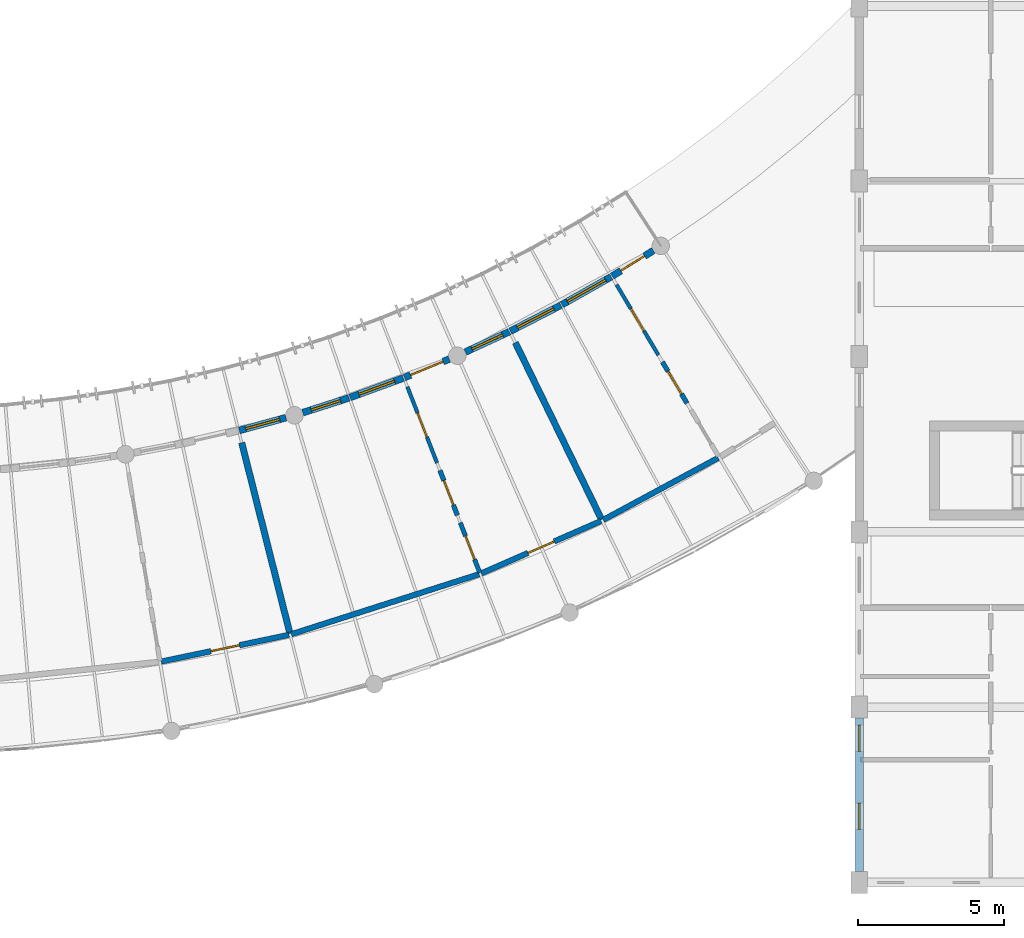
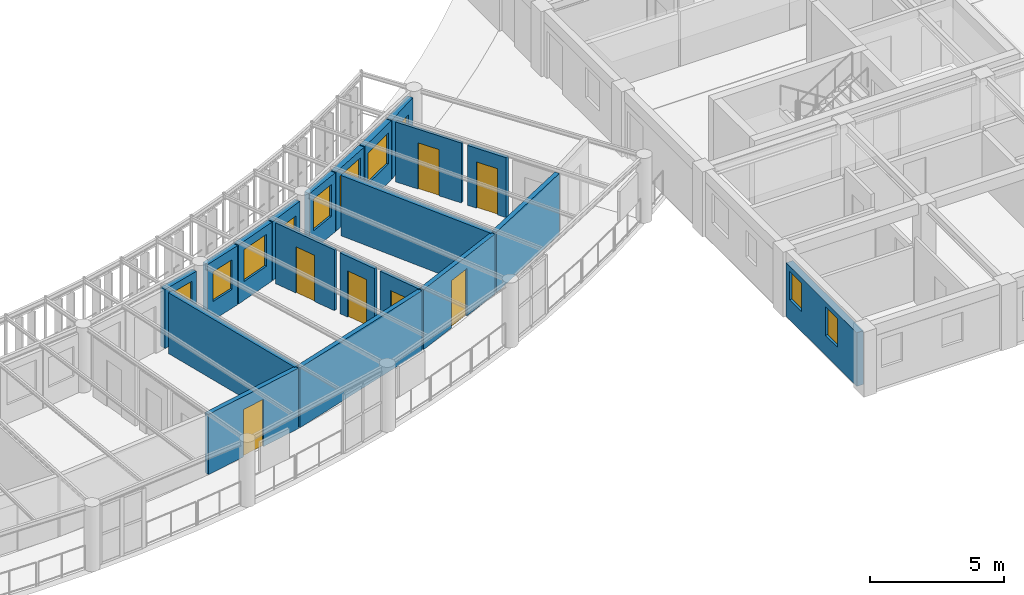
# One storey, part 62 of 100: 20 walls, 9 doors, 8 windows, 17 openings.
"""IFC4 building model written with IfcOpenShell, lengths in metres."""

from ifc_helpers import new_model, si_unit, direction, frame, frame_2d, origin, place, context, subcontext, project, spatial, rectangle, extrude, material, layer, layer_set, type_object, element, fill, save


model = new_model("IFC4")

# Units and contexts
model_context = context("Model", 3, precision=1e-05, world=origin(), true_north=direction((0.0, 1.0)))
body_context = subcontext(model_context, "Body", "Model", "MODEL_VIEW")
ifc_project = project(units=[si_unit("LENGTHUNIT", "METRE"), si_unit("AREAUNIT", "SQUARE_METRE"), si_unit("VOLUMEUNIT", "CUBIC_METRE"), si_unit("PLANEANGLEUNIT", "RADIAN"), si_unit("MASSUNIT", "GRAM", prefix="KILO"), si_unit("POWERUNIT", "WATT"), si_unit("THERMODYNAMICTEMPERATUREUNIT", "KELVIN")], contexts=[model_context])

# Site, building, storey
site_placement = place(None, origin())
site = spatial("IfcSite", under=ifc_project, at=site_placement, CompositionType="ELEMENT")
building_placement = place(site_placement, origin())
building = spatial("IfcBuilding", under=site, at=building_placement, Name="Ruvembo Vaulted Housing Court", CompositionType="ELEMENT")
storey_placement = place(building_placement, frame((0.0, 0.0, 14.10009765625)))
storey = spatial("IfcBuildingStorey", under=building, at=storey_placement, Name="L04", CompositionType="ELEMENT", Elevation=14.10009765625)

# Wall, opening, door
ifc_material_1 = material(Name="Concrete Blockwork 190", Category="masonry")
ifc_layer_1 = layer(ifc_material_1, 0.18994140625, Name="Concrete Blockwork 190")
ifc_layer_set_1 = layer_set([ifc_layer_1], Name="Concrete Blockwork 190")
wall_type_1 = type_object("IfcWallType", Name="WL-CORR-190", PredefinedType="SOLIDWALL", material=ifc_layer_set_1)
wall_1_placement = place(storey_placement, frame((78.106689453125, 7.55810546875, 0.0), z_axis=(0.0, 0.0, 1.0), x_axis=(0.978806148413, 0.204788973894, 0.0)))
wall_1 = element("IfcWall", 1, at=wall_1_placement, inside=storey, type_object=wall_type_1, Name="L04 Suite SC2-L04-U4 Entrance WL-INT-L04-01329", PredefinedType="SOLIDWALL", context=body_context, shape_type="SweptSolid", body=[
    extrude(rectangle(XDim=4.472900390625, YDim=0.18994140625, at=frame_2d((2.236328125, 0.0))), origin(), (0.0, 0.0, 1.0), 2.741943359375),
])
opening_1_placement = place(wall_1_placement, frame((1.736572265625, 0.0, 0.0)))
opening_1 = element("IfcOpeningElement", 2, at=opening_1_placement, cuts=wall_1, Name="Opening FD1", PredefinedType="OPENING", context=body_context, shape_type="SweptSolid", body=[
    extrude(rectangle(XDim=1.0, YDim=2.14990234375, at=frame_2d((0.5, 1.074951171875))), frame((0.0, 0.10498046875, 0.0), z_axis=(0.0, -1.0, 0.0), x_axis=(1.0, 0.0, 0.0)), (0.0, 0.0, 1.0), 0.2099609375),
])
ifc_material_2 = material(Name="FSC Hardwood and Engineered Timber", Category="wood")
door_type_1 = type_object("IfcDoorType", Name="DR-FLAT-1000x2150", OperationType="NOTDEFINED", PredefinedType="DOOR", material=ifc_material_2)
door_1_placement = place(opening_1_placement, origin())
door_1 = element("IfcDoor", 3, at=door_1_placement, inside=storey, type_object=door_type_1, Name="L04 Suite SC2-L04-U4 Entrance Door DR-INT-L04-00744", OperationType="SINGLE_SWING_RIGHT", OverallHeight=2.14990234375, OverallWidth=1.0, PredefinedType="DOOR", context=body_context, shape_type="SweptSolid", body=[
    extrude(rectangle(XDim=1.0, YDim=2.14990234375, at=frame_2d((0.5, 1.074951171875))), frame((0.0, 0.02490234375, 0.0), z_axis=(0.0, -1.0, 0.0), x_axis=(1.0, 0.0, 0.0)), (0.0, 0.0, 1.0), 0.050048828125),
])
fill(opening_1, door_1)

# Wall
wall_2_placement = place(storey_placement, frame((82.56201171875, 8.49462890625, 0.0), z_axis=(0.0, 0.0, 1.0), x_axis=(0.952529122406, 0.304447484746, 0.0)))
element("IfcWall", 4, at=wall_2_placement, inside=storey, type_object=wall_type_1, Name="L04 Suite SC2-L04-U5 Gallery Wall WL-INT-L04-01334", PredefinedType="SOLIDWALL", context=body_context, shape_type="SweptSolid", body=[
    extrude(rectangle(XDim=6.747314453125, YDim=0.18994140625, at=frame_2d((3.37353515625, 0.0))), origin(), (0.0, 0.0, 1.0), 2.721923828125),
])

# Wall, opening, door
wall_3_placement = place(storey_placement, frame((89.063720703125, 10.5771484375, 0.0), z_axis=(0.0, 0.0, 1.0), x_axis=(0.91610596958, 0.40093621999, 0.0)))
wall_3 = element("IfcWall", 5, at=wall_3_placement, inside=storey, type_object=wall_type_1, Name="L04 Suite SC2-L04-U5 Entrance WL-INT-L04-01335", PredefinedType="SOLIDWALL", context=body_context, shape_type="SweptSolid", body=[
    extrude(rectangle(XDim=4.47314453125, YDim=0.18994140625, at=frame_2d((2.236572265625, 0.0))), origin(), (0.0, 0.0, 1.0), 2.721923828125),
])
opening_2_placement = place(wall_3_placement, frame((1.74658203125, 0.0, 0.0)))
opening_2 = element("IfcOpeningElement", 6, at=opening_2_placement, cuts=wall_3, Name="Opening FD2", PredefinedType="OPENING", context=body_context, shape_type="SweptSolid", body=[
    extrude(rectangle(XDim=0.97998046875, YDim=2.14990234375, at=frame_2d((0.489990234375, 1.074951171875))), frame((0.0, 0.10498046875, 0.0), z_axis=(0.0, -1.0, 0.0), x_axis=(1.0, 0.0, 0.0)), (0.0, 0.0, 1.0), 0.2099609375),
])
door_type_2 = type_object("IfcDoorType", Name="DR-FLAT-0980x2150", OperationType="NOTDEFINED", PredefinedType="DOOR", material=ifc_material_2)
door_2_placement = place(opening_2_placement, origin())
door_2 = element("IfcDoor", 7, at=door_2_placement, inside=storey, type_object=door_type_2, Name="L04 Suite SC2-L04-U5 Entrance Door DR-INT-L04-00748", OperationType="SINGLE_SWING_RIGHT", OverallHeight=2.14990234375, OverallWidth=0.97998046875, PredefinedType="DOOR", context=body_context, shape_type="SweptSolid", body=[
    extrude(rectangle(XDim=0.97998046875, YDim=2.14990234375, at=frame_2d((0.489990234375, 1.074951171875))), frame((0.0, 0.02490234375, 0.0), z_axis=(0.0, -1.0, 0.0), x_axis=(1.0, 0.0, 0.0)), (0.0, 0.0, 1.0), 0.050048828125),
])
fill(opening_2, door_2)

# Walls
wall_4_placement = place(storey_placement, frame((93.2333984375, 12.405517578125, 0.0), z_axis=(0.0, 0.0, 1.0), x_axis=(0.879935975281, 0.475092285147, 0.0)))
element("IfcWall", 8, at=wall_4_placement, inside=storey, type_object=wall_type_1, Name="L04 Suite SC2-L04-U6 Gallery Wall WL-INT-L04-01340", PredefinedType="SOLIDWALL", context=body_context, shape_type="SweptSolid", body=[
    extrude(rectangle(XDim=4.472900390625, YDim=0.18994140625, at=frame_2d((2.236328125, 0.0))), origin(), (0.0, 0.0, 1.0), 2.761962890625),
])
ifc_material_3 = material(Name="Acoustic Masonry Demising 220", Category="masonry")
ifc_layer_2 = layer(ifc_material_3, 0.219970703125, Name="Acoustic Masonry Demising 220")
ifc_layer_set_2 = layer_set([ifc_layer_2], Name="Acoustic Masonry Demising 220")
wall_type_2 = type_object("IfcWallType", Name="WL-DEM-200", PredefinedType="SOLIDWALL", material=ifc_layer_set_2)
wall_5_placement = place(storey_placement, frame((80.864013671875, 15.0517578125, 0.0), z_axis=(0.0, 0.0, 1.0), x_axis=(0.244982481903, -0.969527505314, 0.0)))
element("IfcWall", 9, at=wall_5_placement, inside=storey, type_object=wall_type_2, Name="L04 Suite SC2-L04-U4 Demising WL-INT-L04-01333", PredefinedType="SOLIDWALL", context=body_context, shape_type="SweptSolid", body=[
    extrude(rectangle(XDim=6.73583984375, YDim=0.219970703125, at=frame_2d((3.367919921875, 0.0))), origin(), (0.0, 0.0, 1.0), 2.761962890625),
])
wall_6_placement = place(storey_placement, frame((90.2275390625, 18.476806640625, 0.0), z_axis=(0.0, 0.0, 1.0), x_axis=(0.438406494017, -0.898776805444, 0.0)))
element("IfcWall", 10, at=wall_6_placement, inside=storey, type_object=wall_type_2, Name="L04 Suite SC2-L04-U5 Demising WL-INT-L04-01339", PredefinedType="SOLIDWALL", context=body_context, shape_type="SweptSolid", body=[
    extrude(rectangle(XDim=6.736083984375, YDim=0.219970703125, at=frame_2d((3.3681640625, 0.0))), origin(), (0.0, 0.0, 1.0), 2.741943359375),
])

# Wall, opening, window
ifc_material_4 = material(Name="Rendered Masonry 235", Category="masonry")
ifc_layer_3 = layer(ifc_material_4, 0.235107421875, Name="Rendered Masonry 235")
ifc_layer_set_3 = layer_set([ifc_layer_3], Name="Rendered Masonry 235")
wall_type_3 = type_object("IfcWallType", Name="WL-EXT-235", PredefinedType="STANDARD", material=ifc_layer_set_3)
wall_7_placement = place(storey_placement, frame((80.779296875, 15.46826171875, 0.0), z_axis=(0.0, 0.0, 1.0), x_axis=(0.964276805489, 0.264896663619, 0.0)))
wall_7 = element("IfcWall", 11, at=wall_7_placement, inside=storey, type_object=wall_type_3, Name="Scoop SC2 L04 Concave Balcony Wall 20", PredefinedType="STANDARD", context=body_context, shape_type="SweptSolid", body=[
    extrude(rectangle(XDim=1.659912109375, YDim=0.235107421875, at=frame_2d((0.830078125, 0.0))), origin(), (0.0, 0.0, 1.0), 2.683837890625),
])
opening_3_placement = place(wall_7_placement, frame((0.22998046875, 0.0, 0.85009765625)))
opening_3 = element("IfcOpeningElement", 12, at=opening_3_placement, cuts=wall_7, Name="Opening W14", PredefinedType="OPENING", context=body_context, shape_type="SweptSolid", body=[
    extrude(rectangle(XDim=1.199951171875, YDim=1.5, at=frame_2d((0.60009765625, 0.75))), frame((0.0, 0.12744140625, 0.0), z_axis=(0.0, -1.0, 0.0), x_axis=(1.0, 0.0, 0.0)), (0.0, 0.0, 1.0), 0.255126953125),
])
ifc_material_5 = material(Name="Double Solar-Control Glazing in Aluminium Frame", Category="aluminium")
window_type_1 = type_object("IfcWindowType", Name="WIN-1200x1500", PartitioningType="SINGLE_PANEL", PredefinedType="WINDOW", material=ifc_material_5)
window_1_placement = place(opening_3_placement, origin())
window_1 = element("IfcWindow", 13, at=window_1_placement, inside=storey, type_object=window_type_1, Name="Scoop SC2 L04 Concave Window 20", OverallHeight=1.5, OverallWidth=1.199951171875, PartitioningType="SINGLE_PANEL", PredefinedType="WINDOW", context=body_context, shape_type="SweptSolid", body=[
    extrude(rectangle(XDim=1.199951171875, YDim=1.5, at=frame_2d((0.60009765625, 0.75))), frame((0.0, 0.030029296875, 0.0), z_axis=(0.0, -1.0, 0.0), x_axis=(1.0, 0.0, 0.0)), (0.0, 0.0, 1.0), 0.06005859375),
])
fill(opening_3, window_1)

wall_8_placement = place(storey_placement, frame((82.955078125, 16.078857421875, 0.0), z_axis=(0.0, 0.0, 1.0), x_axis=(0.952523149859, 0.304466170508, 0.0)))
wall_8 = element("IfcWall", 14, at=wall_8_placement, inside=storey, type_object=wall_type_3, Name="Scoop SC2 L04 Concave Balcony Wall 21", PredefinedType="STANDARD", context=body_context, shape_type="SweptSolid", body=[
    extrude(rectangle(XDim=1.659912109375, YDim=0.235107421875, at=frame_2d((0.830078125, 0.0))), origin(), (0.0, 0.0, 1.0), 2.683837890625),
])
opening_4_placement = place(wall_8_placement, frame((0.304931640625, 0.0, 0.85009765625)))
opening_4 = element("IfcOpeningElement", 15, at=opening_4_placement, cuts=wall_8, Name="Opening W09", PredefinedType="OPENING", context=body_context, shape_type="SweptSolid", body=[
    extrude(rectangle(XDim=1.050048828125, YDim=1.35009765625, at=frame_2d((0.52490234375, 0.675048828125))), frame((0.0, 0.12744140625, 0.0), z_axis=(0.0, -1.0, 0.0), x_axis=(1.0, 0.0, 0.0)), (0.0, 0.0, 1.0), 0.255126953125),
])
window_type_2 = type_object("IfcWindowType", Name="WIN-1050x1350", PartitioningType="SINGLE_PANEL", PredefinedType="WINDOW", material=ifc_material_5)
window_2_placement = place(opening_4_placement, origin())
window_2 = element("IfcWindow", 16, at=window_2_placement, inside=storey, type_object=window_type_2, Name="Scoop SC2 L04 Concave Window 21", OverallHeight=1.35009765625, OverallWidth=1.050048828125, PartitioningType="SINGLE_PANEL", PredefinedType="WINDOW", context=body_context, shape_type="SweptSolid", body=[
    extrude(rectangle(XDim=1.050048828125, YDim=1.35009765625, at=frame_2d((0.52490234375, 0.675048828125))), frame((0.0, 0.030029296875, 0.0), z_axis=(0.0, -1.0, 0.0), x_axis=(1.0, 0.0, 0.0)), (0.0, 0.0, 1.0), 0.06005859375),
])
fill(opening_4, window_2)

wall_9_placement = place(storey_placement, frame((84.573974609375, 16.597412109375, 0.0), z_axis=(0.0, 0.0, 1.0), x_axis=(0.939178301307, 0.343429932235, 0.0)))
wall_9 = element("IfcWall", 17, at=wall_9_placement, inside=storey, type_object=wall_type_3, Name="Scoop SC2 L04 Concave Balcony Wall 22", PredefinedType="STANDARD", context=body_context, shape_type="SweptSolid", body=[
    extrude(rectangle(XDim=1.93994140625, YDim=0.235107421875, at=frame_2d((0.969970703125, 0.0))), origin(), (0.0, 0.0, 1.0), 2.683837890625),
])
opening_5_placement = place(wall_9_placement, frame((0.320068359375, 0.0, 0.85009765625)))
opening_5 = element("IfcOpeningElement", 18, at=opening_5_placement, cuts=wall_9, Name="Opening W15", PredefinedType="OPENING", context=body_context, shape_type="SweptSolid", body=[
    extrude(rectangle(XDim=1.300048828125, YDim=1.449951171875, at=frame_2d((0.64990234375, 0.72509765625))), frame((0.0, 0.12744140625, 0.0), z_axis=(0.0, -1.0, 0.0), x_axis=(1.0, 0.0, 0.0)), (0.0, 0.0, 1.0), 0.255126953125),
])
window_type_3 = type_object("IfcWindowType", Name="WIN-1300x1450", PartitioningType="SINGLE_PANEL", PredefinedType="WINDOW", material=ifc_material_5)
window_3_placement = place(opening_5_placement, origin())
window_3 = element("IfcWindow", 19, at=window_3_placement, inside=storey, type_object=window_type_3, Name="Scoop SC2 L04 Concave Window 22", OverallHeight=1.449951171875, OverallWidth=1.300048828125, PartitioningType="SINGLE_PANEL", PredefinedType="WINDOW", context=body_context, shape_type="SweptSolid", body=[
    extrude(rectangle(XDim=1.300048828125, YDim=1.449951171875, at=frame_2d((0.64990234375, 0.72509765625))), frame((0.0, 0.030029296875, 0.0), z_axis=(0.0, -1.0, 0.0), x_axis=(1.0, 0.0, 0.0)), (0.0, 0.0, 1.0), 0.06005859375),
])
fill(opening_5, window_3)

# Wall, opening, door
wall_10_placement = place(storey_placement, frame((86.433349609375, 17.278076171875, 0.0), z_axis=(0.0, 0.0, 1.0), x_axis=(0.924165494985, 0.38199232699, 0.0)))
wall_10 = element("IfcWall", 20, at=wall_10_placement, inside=storey, type_object=wall_type_3, Name="Scoop SC2 L04 Concave Balcony Wall 23", PredefinedType="STANDARD", context=body_context, shape_type="SweptSolid", body=[
    extrude(rectangle(XDim=1.659912109375, YDim=0.235107421875, at=frame_2d((0.830078125, 0.0))), origin(), (0.0, 0.0, 1.0), 2.683837890625),
])
opening_6_placement = place(wall_10_placement, frame((0.22998046875, 0.0, 0.0)))
opening_6 = element("IfcOpeningElement", 21, at=opening_6_placement, cuts=wall_10, Name="Opening BD2", PredefinedType="OPENING", context=body_context, shape_type="SweptSolid", body=[
    extrude(rectangle(XDim=1.199951171875, YDim=2.14990234375, at=frame_2d((0.60009765625, 1.074951171875))), frame((0.0, 0.12744140625, 0.0), z_axis=(0.0, -1.0, 0.0), x_axis=(1.0, 0.0, 0.0)), (0.0, 0.0, 1.0), 0.255126953125),
])
ifc_material_6 = material(Name="Thermally Broken Glazed Aluminium", Category="aluminium")
door_type_3 = type_object("IfcDoorType", Name="DR-BAL-1200x2150", OperationType="NOTDEFINED", PredefinedType="DOOR", material=ifc_material_6)
door_3_placement = place(opening_6_placement, origin())
door_3 = element("IfcDoor", 22, at=door_3_placement, inside=storey, type_object=door_type_3, Name="Scoop SC2 L04 Balcony Door 23", OperationType="SINGLE_SWING_RIGHT", OverallHeight=2.14990234375, OverallWidth=1.199951171875, PredefinedType="DOOR", context=body_context, shape_type="SweptSolid", body=[
    extrude(rectangle(XDim=1.199951171875, YDim=2.14990234375, at=frame_2d((0.60009765625, 1.074951171875))), frame((0.0, 0.02490234375, 0.0), z_axis=(0.0, -1.0, 0.0), x_axis=(1.0, 0.0, 0.0)), (0.0, 0.0, 1.0), 0.050048828125),
])
fill(opening_6, door_3)

# Wall, opening, window
wall_11_placement = place(storey_placement, frame((88.51708984375, 18.152587890625, 0.0), z_axis=(0.0, 0.0, 1.0), x_axis=(0.907575902742, 0.419888057418, 0.0)))
wall_11 = element("IfcWall", 23, at=wall_11_placement, inside=storey, type_object=wall_type_3, Name="Scoop SC2 L04 Concave Balcony Wall 24", PredefinedType="STANDARD", context=body_context, shape_type="SweptSolid", body=[
    extrude(rectangle(XDim=1.659912109375, YDim=0.235107421875, at=frame_2d((0.830078125, 0.0))), origin(), (0.0, 0.0, 1.0), 2.683837890625),
])
opening_7_placement = place(wall_11_placement, frame((0.2548828125, 0.0, 0.85009765625)))
opening_7 = element("IfcOpeningElement", 24, at=opening_7_placement, cuts=wall_11, Name="Opening W11", PredefinedType="OPENING", context=body_context, shape_type="SweptSolid", body=[
    extrude(rectangle(XDim=1.14990234375, YDim=1.449951171875, at=frame_2d((0.574951171875, 0.72509765625))), frame((0.0, 0.12744140625, 0.0), z_axis=(0.0, -1.0, 0.0), x_axis=(1.0, 0.0, 0.0)), (0.0, 0.0, 1.0), 0.255126953125),
])
window_type_4 = type_object("IfcWindowType", Name="WIN-1150x1450", PartitioningType="SINGLE_PANEL", PredefinedType="WINDOW", material=ifc_material_5)
window_4_placement = place(opening_7_placement, origin())
window_4 = element("IfcWindow", 25, at=window_4_placement, inside=storey, type_object=window_type_4, Name="Scoop SC2 L04 Concave Window 24", OverallHeight=1.449951171875, OverallWidth=1.14990234375, PartitioningType="SINGLE_PANEL", PredefinedType="WINDOW", context=body_context, shape_type="SweptSolid", body=[
    extrude(rectangle(XDim=1.14990234375, YDim=1.449951171875, at=frame_2d((0.574951171875, 0.72509765625))), frame((0.0, 0.030029296875, 0.0), z_axis=(0.0, -1.0, 0.0), x_axis=(1.0, 0.0, 0.0)), (0.0, 0.0, 1.0), 0.06005859375),
])
fill(opening_7, window_4)

wall_12_placement = place(storey_placement, frame((90.0595703125, 18.866943359375, 0.0), z_axis=(0.0, 0.0, 1.0), x_axis=(0.889517261343, 0.456901566832, 0.0)))
wall_12 = element("IfcWall", 26, at=wall_12_placement, inside=storey, type_object=wall_type_3, Name="Scoop SC2 L04 Concave Balcony Wall 25", PredefinedType="STANDARD", context=body_context, shape_type="SweptSolid", body=[
    extrude(rectangle(XDim=1.940185546875, YDim=0.235107421875, at=frame_2d((0.97021484375, 0.0))), origin(), (0.0, 0.0, 1.0), 2.683837890625),
])
opening_8_placement = place(wall_12_placement, frame((0.27001953125, 0.0, 0.85009765625)))
opening_8 = element("IfcOpeningElement", 27, at=opening_8_placement, cuts=wall_12, Name="Opening W17", PredefinedType="OPENING", context=body_context, shape_type="SweptSolid", body=[
    extrude(rectangle(XDim=1.39990234375, YDim=1.5, at=frame_2d((0.699951171875, 0.75))), frame((0.0, 0.12744140625, 0.0), z_axis=(0.0, -1.0, 0.0), x_axis=(1.0, 0.0, 0.0)), (0.0, 0.0, 1.0), 0.255126953125),
])
window_type_5 = type_object("IfcWindowType", Name="WIN-1400x1500", PartitioningType="SINGLE_PANEL", PredefinedType="WINDOW", material=ifc_material_5)
window_5_placement = place(opening_8_placement, origin())
window_5 = element("IfcWindow", 28, at=window_5_placement, inside=storey, type_object=window_type_5, Name="Scoop SC2 L04 Concave Window 25", OverallHeight=1.5, OverallWidth=1.39990234375, PartitioningType="SINGLE_PANEL", PredefinedType="WINDOW", context=body_context, shape_type="SweptSolid", body=[
    extrude(rectangle(XDim=1.39990234375, YDim=1.5, at=frame_2d((0.699951171875, 0.75))), frame((0.0, 0.030029296875, 0.0), z_axis=(0.0, -1.0, 0.0), x_axis=(1.0, 0.0, 0.0)), (0.0, 0.0, 1.0), 0.06005859375),
])
fill(opening_8, window_5)

wall_13_placement = place(storey_placement, frame((91.820556640625, 19.772216796875, 0.0), z_axis=(0.0, 0.0, 1.0), x_axis=(0.86993400964, 0.493168144623, 0.0)))
wall_13 = element("IfcWall", 29, at=wall_13_placement, inside=storey, type_object=wall_type_3, Name="Scoop SC2 L04 Concave Balcony Wall 26", PredefinedType="STANDARD", context=body_context, shape_type="SweptSolid", body=[
    extrude(rectangle(XDim=1.940185546875, YDim=0.235107421875, at=frame_2d((0.97021484375, 0.0))), origin(), (0.0, 0.0, 1.0), 2.683837890625),
])
opening_9_placement = place(wall_13_placement, frame((0.219970703125, 0.0, 0.85009765625)))
opening_9 = element("IfcOpeningElement", 30, at=opening_9_placement, cuts=wall_13, Name="Opening W18", PredefinedType="OPENING", context=body_context, shape_type="SweptSolid", body=[
    extrude(rectangle(XDim=1.5, YDim=1.39990234375, at=frame_2d((0.75, 0.699951171875))), frame((0.0, 0.12744140625, 0.0), z_axis=(0.0, -1.0, 0.0), x_axis=(1.0, 0.0, 0.0)), (0.0, 0.0, 1.0), 0.255126953125),
])
window_type_6 = type_object("IfcWindowType", Name="WIN-1500x1400", PartitioningType="SINGLE_PANEL", PredefinedType="WINDOW", material=ifc_material_5)
window_6_placement = place(opening_9_placement, origin())
window_6 = element("IfcWindow", 31, at=window_6_placement, inside=storey, type_object=window_type_6, Name="Scoop SC2 L04 Concave Window 26", OverallHeight=1.39990234375, OverallWidth=1.5, PartitioningType="SINGLE_PANEL", PredefinedType="WINDOW", context=body_context, shape_type="SweptSolid", body=[
    extrude(rectangle(XDim=1.5, YDim=1.39990234375, at=frame_2d((0.75, 0.699951171875))), frame((0.0, 0.030029296875, 0.0), z_axis=(0.0, -1.0, 0.0), x_axis=(1.0, 0.0, 0.0)), (0.0, 0.0, 1.0), 0.06005859375),
])
fill(opening_9, window_6)

# Wall, opening, door
wall_14_placement = place(storey_placement, frame((93.542724609375, 20.74951171875, 0.0), z_axis=(0.0, 0.0, 1.0), x_axis=(0.848955427013, 0.528464457598, 0.0)))
wall_14 = element("IfcWall", 32, at=wall_14_placement, inside=storey, type_object=wall_type_3, Name="Scoop SC2 L04 Concave Balcony Wall 27", PredefinedType="STANDARD", context=body_context, shape_type="SweptSolid", body=[
    extrude(rectangle(XDim=1.659912109375, YDim=0.235107421875, at=frame_2d((0.830078125, 0.0))), origin(), (0.0, 0.0, 1.0), 2.683837890625),
])
opening_10_placement = place(wall_14_placement, frame((0.35498046875, 0.0, 0.0)))
opening_10 = element("IfcOpeningElement", 33, at=opening_10_placement, cuts=wall_14, Name="Opening BD0", PredefinedType="OPENING", context=body_context, shape_type="SweptSolid", body=[
    extrude(rectangle(XDim=0.949951171875, YDim=2.1201171875, at=frame_2d((0.47509765625, 1.06005859375))), frame((0.0, 0.12744140625, 0.0), z_axis=(0.0, -1.0, 0.0), x_axis=(1.0, 0.0, 0.0)), (0.0, 0.0, 1.0), 0.255126953125),
])
door_type_4 = type_object("IfcDoorType", Name="DR-BAL-0950x2120", OperationType="NOTDEFINED", PredefinedType="DOOR", material=ifc_material_6)
door_4_placement = place(opening_10_placement, origin())
door_4 = element("IfcDoor", 34, at=door_4_placement, inside=storey, type_object=door_type_4, Name="Scoop SC2 L04 Balcony Door 27", OperationType="SINGLE_SWING_LEFT", OverallHeight=2.1201171875, OverallWidth=0.949951171875, PredefinedType="DOOR", context=body_context, shape_type="SweptSolid", body=[
    extrude(rectangle(XDim=0.949951171875, YDim=2.1201171875, at=frame_2d((0.47509765625, 1.06005859375))), frame((0.0, 0.02490234375, 0.0), z_axis=(0.0, -1.0, 0.0), x_axis=(1.0, 0.0, 0.0)), (0.0, 0.0, 1.0), 0.050048828125),
])
fill(opening_10, door_4)

# Wall, openings, windows
ifc_material_7 = material(Name="Rendered Masonry 285", Category="masonry")
ifc_layer_4 = layer(ifc_material_7, 0.284912109375, Name="Rendered Masonry 285")
ifc_layer_set_4 = layer_set([ifc_layer_4], Name="Rendered Masonry 285")
wall_type_4 = type_object("IfcWallType", Name="WL-EXT-285", PredefinedType="STANDARD", material=ifc_layer_set_4)
wall_15_placement = place(storey_placement, frame((102.0, 5.625, 0.0), z_axis=(0.0, 0.0, 1.0), x_axis=(0.0, -1.0, 0.0)))
wall_15 = element("IfcWall", 35, at=wall_15_placement, inside=storey, type_object=wall_type_4, Name="Block C L04 Exterior Wall WEST #6", PredefinedType="STANDARD", context=body_context, shape_type="SweptSolid", body=[
    extrude(rectangle(XDim=5.25, YDim=0.284912109375, at=frame_2d((2.625, 0.0))), origin(), (0.0, 0.0, 1.0), 2.431884765625),
])
opening_11_placement = place(wall_15_placement, frame((0.242431640625, 0.0, 0.89990234375)))
opening_11 = element("IfcOpeningElement", 36, at=opening_11_placement, cuts=wall_15, Name="Opening W04", PredefinedType="OPENING", context=body_context, shape_type="SweptSolid", body=[
    extrude(rectangle(XDim=0.89990234375, YDim=1.300048828125, at=frame_2d((0.449951171875, 0.64990234375))), frame((0.0, 0.15234375, 0.0), z_axis=(0.0, -1.0, 0.0), x_axis=(1.0, 0.0, 0.0)), (0.0, 0.0, 1.0), 0.304931640625),
])
opening_12_placement = place(wall_15_placement, frame((2.907470703125, 0.0, 0.89990234375)))
opening_12 = element("IfcOpeningElement", 37, at=opening_12_placement, cuts=wall_15, Name="Opening W04", PredefinedType="OPENING", context=body_context, shape_type="SweptSolid", body=[
    extrude(rectangle(XDim=0.89990234375, YDim=1.300048828125, at=frame_2d((0.449951171875, 0.64990234375))), frame((0.0, 0.15234375, 0.0), z_axis=(0.0, -1.0, 0.0), x_axis=(1.0, 0.0, 0.0)), (0.0, 0.0, 1.0), 0.304931640625),
])
window_type_7 = type_object("IfcWindowType", Name="WIN-0900x1300", PartitioningType="SINGLE_PANEL", PredefinedType="WINDOW", material=ifc_material_5)
window_7_placement = place(opening_11_placement, origin())
window_7 = element("IfcWindow", 38, at=window_7_placement, inside=storey, type_object=window_type_7, Name="Block C L04 Window #1279", OverallHeight=1.300048828125, OverallWidth=0.89990234375, PartitioningType="SINGLE_PANEL", PredefinedType="WINDOW", context=body_context, shape_type="SweptSolid", body=[
    extrude(rectangle(XDim=0.89990234375, YDim=1.300048828125, at=frame_2d((0.449951171875, 0.64990234375))), frame((0.0, 0.030029296875, 0.0), z_axis=(0.0, -1.0, 0.0), x_axis=(1.0, 0.0, 0.0)), (0.0, 0.0, 1.0), 0.06005859375),
])
fill(opening_11, window_7)
window_8_placement = place(opening_12_placement, origin())
window_8 = element("IfcWindow", 39, at=window_8_placement, inside=storey, type_object=window_type_7, Name="Block C L04 Window #1280", OverallHeight=1.300048828125, OverallWidth=0.89990234375, PartitioningType="SINGLE_PANEL", PredefinedType="WINDOW", context=body_context, shape_type="SweptSolid", body=[
    extrude(rectangle(XDim=0.89990234375, YDim=1.300048828125, at=frame_2d((0.449951171875, 0.64990234375))), frame((0.0, 0.030029296875, 0.0), z_axis=(0.0, -1.0, 0.0), x_axis=(1.0, 0.0, 0.0)), (0.0, 0.0, 1.0), 0.06005859375),
])
fill(opening_12, window_8)

# Wall, opening, door
ifc_material_8 = material(Name="Plasterboard Stud Partition 125", Category="gypsum")
ifc_layer_5 = layer(ifc_material_8, 0.125, Name="Plasterboard Stud Partition 125")
ifc_layer_set_5 = layer_set([ifc_layer_5], Name="Plasterboard Stud Partition 125")
wall_type_5 = type_object("IfcWallType", Name="WL-PART-125", PredefinedType="PARTITIONING", material=ifc_layer_set_5)
wall_16_placement = place(storey_placement, frame((86.53369140625, 16.96484375, 0.0), z_axis=(0.0, 0.0, 1.0), x_axis=(0.362896442288, -0.93182947591, 0.0)))
wall_16 = element("IfcWall", 40, at=wall_16_placement, inside=storey, type_object=wall_type_5, Name="L04 Suite SC2-L04-U5 Bedroom WL-INT-L04-01336", PredefinedType="PARTITIONING", context=body_context, shape_type="SweptSolid", body=[
    extrude(rectangle(XDim=2.800048828125, YDim=0.125, at=frame_2d((1.39990234375, 0.0))), origin(), (0.0, 0.0, 1.0), 2.761962890625),
])
opening_13_placement = place(wall_16_placement, frame((0.9599609375, 0.0, 0.0)))
opening_13 = element("IfcOpeningElement", 41, at=opening_13_placement, cuts=wall_16, Name="Opening ID3", PredefinedType="OPENING", context=body_context, shape_type="SweptSolid", body=[
    extrude(rectangle(XDim=0.8798828125, YDim=2.10009765625, at=frame_2d((0.43994140625, 1.050048828125))), frame((0.0, 0.072509765625, 0.0), z_axis=(0.0, -1.0, 0.0), x_axis=(1.0, 0.0, 0.0)), (0.0, 0.0, 1.0), 0.14501953125),
])
door_type_5 = type_object("IfcDoorType", Name="DR-ROOM-0880x2100", OperationType="NOTDEFINED", PredefinedType="DOOR", material=ifc_material_2)
door_5_placement = place(opening_13_placement, origin())
door_5 = element("IfcDoor", 42, at=door_5_placement, inside=storey, type_object=door_type_5, Name="L04 Suite SC2-L04-U5 Bedroom Door DR-INT-L04-00749", OperationType="SINGLE_SWING_LEFT", OverallHeight=2.10009765625, OverallWidth=0.8798828125, PredefinedType="DOOR", context=body_context, shape_type="SweptSolid", body=[
    extrude(rectangle(XDim=0.8798828125, YDim=2.10009765625, at=frame_2d((0.43994140625, 1.050048828125))), frame((0.0, 0.02490234375, 0.0), z_axis=(0.0, -1.0, 0.0), x_axis=(1.0, 0.0, 0.0)), (0.0, 0.0, 1.0), 0.050048828125),
])
fill(opening_13, door_5)

wall_17_placement = place(storey_placement, frame((93.693359375, 20.456787109375, 0.0), z_axis=(0.0, 0.0, 1.0), x_axis=(0.510939588664, -0.859616621952, 0.0)))
wall_17 = element("IfcWall", 43, at=wall_17_placement, inside=storey, type_object=wall_type_5, Name="L04 Suite SC2-L04-U6 Bedroom WL-INT-L04-01342", PredefinedType="PARTITIONING", context=body_context, shape_type="SweptSolid", body=[
    extrude(rectangle(XDim=2.800048828125, YDim=0.125, at=frame_2d((1.39990234375, 0.0))), origin(), (0.0, 0.0, 1.0), 2.721923828125),
])
opening_14_placement = place(wall_17_placement, frame((0.9599609375, 0.0, 0.0)))
opening_14 = element("IfcOpeningElement", 44, at=opening_14_placement, cuts=wall_17, Name="Opening ID3", PredefinedType="OPENING", context=body_context, shape_type="SweptSolid", body=[
    extrude(rectangle(XDim=0.8798828125, YDim=2.10009765625, at=frame_2d((0.43994140625, 1.050048828125))), frame((0.0, 0.072509765625, 0.0), z_axis=(0.0, -1.0, 0.0), x_axis=(1.0, 0.0, 0.0)), (0.0, 0.0, 1.0), 0.14501953125),
])
door_6_placement = place(opening_14_placement, origin())
door_6 = element("IfcDoor", 45, at=door_6_placement, inside=storey, type_object=door_type_5, Name="L04 Suite SC2-L04-U6 Bedroom Door DR-INT-L04-00753", OperationType="SINGLE_SWING_LEFT", OverallHeight=2.10009765625, OverallWidth=0.8798828125, PredefinedType="DOOR", context=body_context, shape_type="SweptSolid", body=[
    extrude(rectangle(XDim=0.8798828125, YDim=2.10009765625, at=frame_2d((0.43994140625, 1.050048828125))), frame((0.0, 0.02490234375, 0.0), z_axis=(0.0, -1.0, 0.0), x_axis=(1.0, 0.0, 0.0)), (0.0, 0.0, 1.0), 0.050048828125),
])
fill(opening_14, door_6)

ifc_material_9 = material(Name="Moisture-Resistant Wet Partition 150", Category="gypsum")
ifc_layer_6 = layer(ifc_material_9, 0.14990234375, Name="Moisture-Resistant Wet Partition 150")
ifc_layer_set_6 = layer_set([ifc_layer_6], Name="Moisture-Resistant Wet Partition 150")
wall_type_6 = type_object("IfcWallType", Name="WL-PART-150", PredefinedType="PARTITIONING", material=ifc_layer_set_6)
wall_18_placement = place(storey_placement, frame((88.344970703125, 12.31298828125, 0.0), z_axis=(0.0, 0.0, 1.0), x_axis=(0.362772804225, -0.931877616705, 0.0)))
wall_18 = element("IfcWall", 46, at=wall_18_placement, inside=storey, type_object=wall_type_6, Name="L04 Suite SC2-L04-U5 Bathroom WL-INT-L04-01338", PredefinedType="PARTITIONING", context=body_context, shape_type="SweptSolid", body=[
    extrude(rectangle(XDim=1.83984375, YDim=0.14990234375, at=frame_2d((0.919921875, 0.0))), origin(), (0.0, 0.0, 1.0), 2.761962890625),
])
opening_15_placement = place(wall_18_placement, frame((0.4951171875, 0.0, 0.0)))
opening_15 = element("IfcOpeningElement", 47, at=opening_15_placement, cuts=wall_18, Name="Opening ID2", PredefinedType="OPENING", context=body_context, shape_type="SweptSolid", body=[
    extrude(rectangle(XDim=0.85009765625, YDim=2.10009765625, at=frame_2d((0.425048828125, 1.050048828125))), frame((0.0, 0.0849609375, 0.0), z_axis=(0.0, -1.0, 0.0), x_axis=(1.0, 0.0, 0.0)), (0.0, 0.0, 1.0), 0.169921875),
])
door_type_6 = type_object("IfcDoorType", Name="DR-WET-0850x2100", OperationType="NOTDEFINED", PredefinedType="DOOR", material=ifc_material_2)
door_7_placement = place(opening_15_placement, origin())
door_7 = element("IfcDoor", 48, at=door_7_placement, inside=storey, type_object=door_type_6, Name="L04 Suite SC2-L04-U5 Bathroom Door DR-INT-L04-00751", OperationType="SINGLE_SWING_LEFT", OverallHeight=2.10009765625, OverallWidth=0.85009765625, PredefinedType="DOOR", context=body_context, shape_type="SweptSolid", body=[
    extrude(rectangle(XDim=0.85009765625, YDim=2.10009765625, at=frame_2d((0.425048828125, 1.050048828125))), frame((0.0, 0.02490234375, 0.0), z_axis=(0.0, -1.0, 0.0), x_axis=(1.0, 0.0, 0.0)), (0.0, 0.0, 1.0), 0.050048828125),
])
fill(opening_15, door_7)

ifc_material_10 = material(Name="Acoustic Service Chase Wall 160", Category="gypsum")
ifc_layer_7 = layer(ifc_material_10, 0.159912109375, Name="Acoustic Service Chase Wall 160")
ifc_layer_set_7 = layer_set([ifc_layer_7], Name="Acoustic Service Chase Wall 160")
wall_type_7 = type_object("IfcWallType", Name="WL-PLUMB-160", PredefinedType="PLUMBINGWALL", material=ifc_layer_set_7)
wall_19_placement = place(storey_placement, frame((87.648193359375, 14.10205078125, 0.0), z_axis=(0.0, 0.0, 1.0), x_axis=(0.362817996081, -0.9318600226, 0.0)))
wall_19 = element("IfcWall", 49, at=wall_19_placement, inside=storey, type_object=wall_type_7, Name="L04 Suite SC2-L04-U5 Kitchen WL-INT-L04-01337", PredefinedType="PLUMBINGWALL", context=body_context, shape_type="SweptSolid", body=[
    extrude(rectangle(XDim=1.64794921875, YDim=0.159912109375, at=frame_2d((0.823974609375, 0.0))), origin(), (0.0, 0.0, 1.0), 2.761962890625),
])
opening_16_placement = place(wall_19_placement, frame((0.373779296875, 0.0, 0.0)))
opening_16 = element("IfcOpeningElement", 50, at=opening_16_placement, cuts=wall_19, Name="Opening ID1", PredefinedType="OPENING", context=body_context, shape_type="SweptSolid", body=[
    extrude(rectangle(XDim=0.89990234375, YDim=2.10009765625, at=frame_2d((0.449951171875, 1.050048828125))), frame((0.0, 0.08984375, 0.0), z_axis=(0.0, -1.0, 0.0), x_axis=(1.0, 0.0, 0.0)), (0.0, 0.0, 1.0), 0.179931640625),
])
door_type_7 = type_object("IfcDoorType", Name="DR-ROOM-0900x2100", OperationType="NOTDEFINED", PredefinedType="DOOR", material=ifc_material_2)
door_8_placement = place(opening_16_placement, origin())
door_8 = element("IfcDoor", 51, at=door_8_placement, inside=storey, type_object=door_type_7, Name="L04 Suite SC2-L04-U5 Kitchen Door DR-INT-L04-00750", OperationType="SINGLE_SWING_RIGHT", OverallHeight=2.10009765625, OverallWidth=0.89990234375, PredefinedType="DOOR", context=body_context, shape_type="SweptSolid", body=[
    extrude(rectangle(XDim=0.89990234375, YDim=2.10009765625, at=frame_2d((0.449951171875, 1.050048828125))), frame((0.0, 0.02490234375, 0.0), z_axis=(0.0, -1.0, 0.0), x_axis=(1.0, 0.0, 0.0)), (0.0, 0.0, 1.0), 0.050048828125),
])
fill(opening_16, door_8)

wall_20_placement = place(storey_placement, frame((95.262939453125, 17.816162109375, 0.0), z_axis=(0.0, 0.0, 1.0), x_axis=(0.510918615189, -0.859629087835, 0.0)))
wall_20 = element("IfcWall", 52, at=wall_20_placement, inside=storey, type_object=wall_type_7, Name="L04 Suite SC2-L04-U6 Kitchen WL-INT-L04-01343", PredefinedType="PLUMBINGWALL", context=body_context, shape_type="SweptSolid", body=[
    extrude(rectangle(XDim=1.648193359375, YDim=0.159912109375, at=frame_2d((0.82421875, 0.0))), origin(), (0.0, 0.0, 1.0), 2.721923828125),
])
opening_17_placement = place(wall_20_placement, frame((0.3740234375, 0.0, 0.0)))
opening_17 = element("IfcOpeningElement", 53, at=opening_17_placement, cuts=wall_20, Name="Opening ID1", PredefinedType="OPENING", context=body_context, shape_type="SweptSolid", body=[
    extrude(rectangle(XDim=0.89990234375, YDim=2.10009765625, at=frame_2d((0.449951171875, 1.050048828125))), frame((0.0, 0.08984375, 0.0), z_axis=(0.0, -1.0, 0.0), x_axis=(1.0, 0.0, 0.0)), (0.0, 0.0, 1.0), 0.179931640625),
])
door_9_placement = place(opening_17_placement, origin())
door_9 = element("IfcDoor", 54, at=door_9_placement, inside=storey, type_object=door_type_7, Name="L04 Suite SC2-L04-U6 Kitchen Door DR-INT-L04-00754", OperationType="SINGLE_SWING_RIGHT", OverallHeight=2.10009765625, OverallWidth=0.89990234375, PredefinedType="DOOR", context=body_context, shape_type="SweptSolid", body=[
    extrude(rectangle(XDim=0.89990234375, YDim=2.10009765625, at=frame_2d((0.449951171875, 1.050048828125))), frame((0.0, 0.02490234375, 0.0), z_axis=(0.0, -1.0, 0.0), x_axis=(1.0, 0.0, 0.0)), (0.0, 0.0, 1.0), 0.050048828125),
])
fill(opening_17, door_9)

save(model, "model.ifc")
